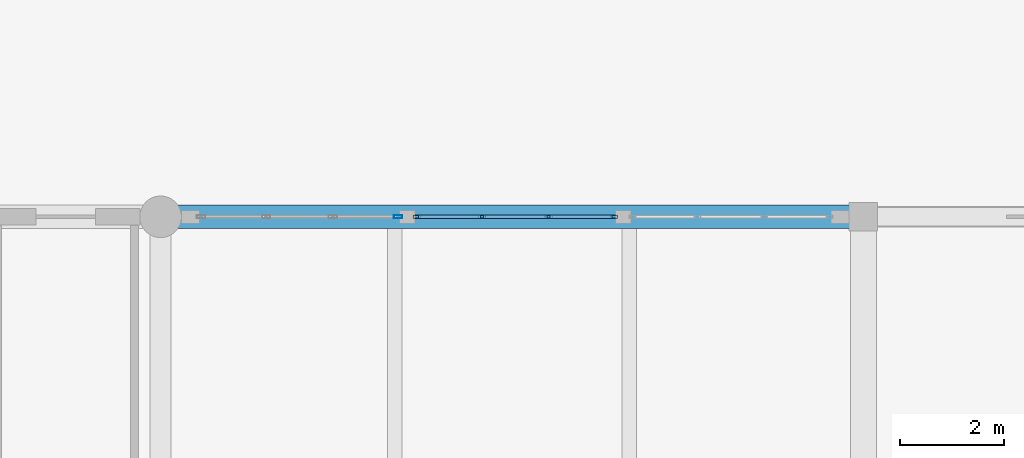
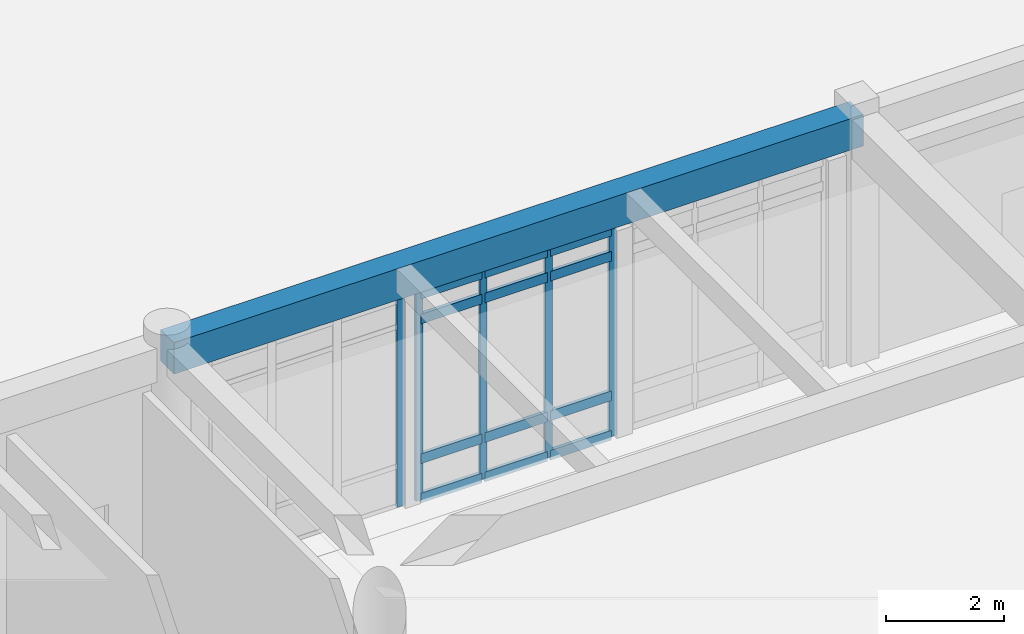
# One storey, part 20 of 138: 17 members, 1 beam, 2 elements without a shape of their own.
"""IFC4 building model written with IfcOpenShell, lengths in metres."""

from ifc_helpers import new_model, si_unit, direction, frame, origin, origin_2d, place, context, subcontext, project, spatial, rectangle, hollow_rectangle, extrude, material, layer, layer_set, material_profile, profile_set, type_object, element, aggregate, save


model = new_model("IFC4")

# Units and contexts
model_context = context("Model", 3, precision=1e-05, world=origin(), true_north=direction((0.0, 1.0)))
body_context = subcontext(model_context, "Body", "Model", "MODEL_VIEW")
ifc_project = project(units=[si_unit("LENGTHUNIT", "METRE"), si_unit("AREAUNIT", "SQUARE_METRE"), si_unit("VOLUMEUNIT", "CUBIC_METRE"), si_unit("PLANEANGLEUNIT", "RADIAN"), si_unit("MASSUNIT", "GRAM", prefix="KILO")], contexts=[model_context])

# Site, building, storey
site_placement = place(None, origin())
site = spatial("IfcSite", under=ifc_project, at=site_placement, CompositionType="ELEMENT")
building_placement = place(site_placement, origin())
building = spatial("IfcBuilding", under=site, at=building_placement, Name="Fikremerkos Civic Library", CompositionType="ELEMENT")
storey_placement = place(building_placement, origin())
storey = spatial("IfcBuildingStorey", under=building, at=storey_placement, Name="L00", CompositionType="ELEMENT", Elevation=0.0)

# Curtain wall, member
ifc_material_1 = material(Name="Anodized aluminium Frame", Category="aluminium")
ifc_layer_1 = layer(ifc_material_1, 0.159912109375, Name="Anodized aluminium Frame")
ifc_layer_set_1 = layer_set([ifc_layer_1], Name="Anodized aluminium Frame")
curtain_wall_type_1 = type_object("IfcCurtainWallType", Name="Unitised curtain wall CW-14 4100x3200", PredefinedType="USERDEFINED", material=ifc_layer_set_1)
curtain_wall_1_placement = place(storey_placement, origin())
curtain_wall_1 = element("IfcCurtainWall", 1, at=curtain_wall_1_placement, inside=storey, type_object=curtain_wall_type_1, Name="Unitised curtain wall CW-14 L00 #14", ObjectType="UNITISED CURTAIN WALL", PredefinedType="USERDEFINED")
ifc_material_profile_1 = material_profile(ifc_material_1, hollow_rectangle(XDim=0.06005859375, YDim=0.159912109375, WallThickness=0.00390625, at=origin_2d()), Name="ALU 160x60x4")
ifc_profile_set_1 = profile_set([ifc_material_profile_1], Name="Anodized aluminium Frame")
member_type_1 = type_object("IfcMemberType", Name="Curtain mullion CWM-02 ALU 160x60x4", PredefinedType="MULLION", material=ifc_profile_set_1)
member_1_placement = place(storey_placement, frame((64.260986328125, 48.0, 0.0), z_axis=(0.0, 0.0, 1.0), x_axis=(0.0, 1.0, 0.0)))
member_1 = element("IfcMember", 2, at=member_1_placement, type_object=member_type_1, Name="CW-14 mullion 4", PredefinedType="MULLION", context=body_context, shape_type="SweptSolid", body=[
    extrude(hollow_rectangle(XDim=0.06005859375, YDim=0.159912109375, WallThickness=0.00390625, at=origin_2d()), origin(), (0.0, 0.0, 1.0), 4.2900390625),
])
aggregate(curtain_wall_1, [member_1])

# Curtain wall, members
ifc_layer_2 = layer(ifc_material_1, 0.159912109375, Name="Anodized aluminium Frame")
ifc_layer_set_2 = layer_set([ifc_layer_2], Name="Anodized aluminium Frame")
curtain_wall_type_2 = type_object("IfcCurtainWallType", Name="Unitised curtain wall CW-15 2900x3600", PredefinedType="USERDEFINED", material=ifc_layer_set_2)
curtain_wall_2_placement = place(storey_placement, origin())
curtain_wall_2 = element("IfcCurtainWall", 3, at=curtain_wall_2_placement, inside=storey, type_object=curtain_wall_type_2, Name="Unitised curtain wall CW-15 L00 #15", ObjectType="UNITISED CURTAIN WALL", PredefinedType="USERDEFINED")
ifc_material_profile_2 = material_profile(ifc_material_1, hollow_rectangle(XDim=0.06005859375, YDim=0.139892578125, WallThickness=0.00390625, at=origin_2d()), Name="ALU 140x60x4")
ifc_profile_set_2 = profile_set([ifc_material_profile_2], Name="Anodized aluminium Frame")
member_type_2 = type_object("IfcMemberType", Name="Curtain mullion CWM-03 ALU 140x60x4", PredefinedType="MULLION", material=ifc_profile_set_2)
member_2_placement = place(storey_placement, frame((64.62109375, 48.0, 0.0), z_axis=(0.0, 0.0, 1.0), x_axis=(0.0, 1.0, 0.0)))
member_2 = element("IfcMember", 4, at=member_2_placement, type_object=member_type_2, Name="CW-15 mullion 1", PredefinedType="MULLION", context=body_context, shape_type="SweptSolid", body=[
    extrude(hollow_rectangle(XDim=0.06005859375, YDim=0.139892578125, WallThickness=0.00390625, at=origin_2d()), origin(), (0.0, 0.0, 1.0), 4.2900390625),
])
member_3_placement = place(storey_placement, frame((65.8720703125, 48.0, 0.0), z_axis=(0.0, 0.0, 1.0), x_axis=(0.0, 1.0, 0.0)))
member_3 = element("IfcMember", 5, at=member_3_placement, type_object=member_type_2, Name="CW-15 mullion 2", PredefinedType="MULLION", context=body_context, shape_type="SweptSolid", body=[
    extrude(hollow_rectangle(XDim=0.06005859375, YDim=0.139892578125, WallThickness=0.00390625, at=origin_2d()), origin(), (0.0, 0.0, 1.0), 4.2900390625),
])
member_4_placement = place(storey_placement, frame((67.153076171875, 48.0, 0.0), z_axis=(0.0, 0.0, 1.0), x_axis=(0.0, 1.0, 0.0)))
member_4 = element("IfcMember", 6, at=member_4_placement, type_object=member_type_2, Name="CW-15 mullion 3", PredefinedType="MULLION", context=body_context, shape_type="SweptSolid", body=[
    extrude(hollow_rectangle(XDim=0.06005859375, YDim=0.139892578125, WallThickness=0.00390625, at=origin_2d()), origin(), (0.0, 0.0, 1.0), 4.2900390625),
])
member_5_placement = place(storey_placement, frame((68.404052734375, 48.0, 0.0), z_axis=(0.0, 0.0, 1.0), x_axis=(0.0, 1.0, 0.0)))
member_5 = element("IfcMember", 7, at=member_5_placement, type_object=member_type_2, Name="CW-15 mullion 4", PredefinedType="MULLION", context=body_context, shape_type="SweptSolid", body=[
    extrude(hollow_rectangle(XDim=0.06005859375, YDim=0.139892578125, WallThickness=0.00390625, at=origin_2d()), origin(), (0.0, 0.0, 1.0), 4.2900390625),
])
ifc_material_profile_3 = material_profile(ifc_material_1, hollow_rectangle(XDim=0.070068359375, YDim=0.199951171875, WallThickness=0.0048828125, at=origin_2d()), Name="ALU 200x70x5")
ifc_profile_set_3 = profile_set([ifc_material_profile_3], Name="Anodized aluminium Frame")
member_type_3 = type_object("IfcMemberType", Name="Curtain transom CWT-04 ALU 200x70x5", PredefinedType="USERDEFINED", material=ifc_profile_set_3)
member_6_placement = place(storey_placement, frame((64.65087890625, 48.0, 0.034912109375), z_axis=(1.0, 0.0, 0.0), x_axis=(0.0, 1.0, 0.0)))
member_6 = element("IfcMember", 8, at=member_6_placement, type_object=member_type_3, Name="CW-15 transom 1.1", ObjectType="TRANSOM", PredefinedType="USERDEFINED", context=body_context, shape_type="SweptSolid", body=[
    extrude(hollow_rectangle(XDim=0.070068359375, YDim=0.199951171875, WallThickness=0.0048828125, at=origin_2d()), origin(), (0.0, 0.0, 1.0), 1.191162109375),
])
member_7_placement = place(storey_placement, frame((64.65087890625, 48.0, 0.85009765625), z_axis=(1.0, 0.0, 0.0), x_axis=(0.0, 1.0, 0.0)))
member_7 = element("IfcMember", 9, at=member_7_placement, type_object=member_type_3, Name="CW-15 transom 1.2", ObjectType="TRANSOM", PredefinedType="USERDEFINED", context=body_context, shape_type="SweptSolid", body=[
    extrude(hollow_rectangle(XDim=0.070068359375, YDim=0.199951171875, WallThickness=0.0048828125, at=origin_2d()), origin(), (0.0, 0.0, 1.0), 1.191162109375),
])
member_8_placement = place(storey_placement, frame((64.65087890625, 48.0, 3.739990234375), z_axis=(1.0, 0.0, 0.0), x_axis=(0.0, 1.0, 0.0)))
member_8 = element("IfcMember", 10, at=member_8_placement, type_object=member_type_3, Name="CW-15 transom 1.3", ObjectType="TRANSOM", PredefinedType="USERDEFINED", context=body_context, shape_type="SweptSolid", body=[
    extrude(hollow_rectangle(XDim=0.070068359375, YDim=0.199951171875, WallThickness=0.0048828125, at=origin_2d()), origin(), (0.0, 0.0, 1.0), 1.191162109375),
])
member_9_placement = place(storey_placement, frame((64.65087890625, 48.0, 4.2548828125), z_axis=(1.0, 0.0, 0.0), x_axis=(0.0, 1.0, 0.0)))
member_9 = element("IfcMember", 11, at=member_9_placement, type_object=member_type_3, Name="CW-15 transom 1.4", ObjectType="TRANSOM", PredefinedType="USERDEFINED", context=body_context, shape_type="SweptSolid", body=[
    extrude(hollow_rectangle(XDim=0.070068359375, YDim=0.199951171875, WallThickness=0.0048828125, at=origin_2d()), origin(), (0.0, 0.0, 1.0), 1.191162109375),
])
member_10_placement = place(storey_placement, frame((65.902099609375, 48.0, 0.034912109375), z_axis=(1.0, 0.0, 0.0), x_axis=(0.0, 1.0, 0.0)))
member_10 = element("IfcMember", 12, at=member_10_placement, type_object=member_type_3, Name="CW-15 transom 2.1", ObjectType="TRANSOM", PredefinedType="USERDEFINED", context=body_context, shape_type="SweptSolid", body=[
    extrude(hollow_rectangle(XDim=0.070068359375, YDim=0.199951171875, WallThickness=0.0048828125, at=origin_2d()), origin(), (0.0, 0.0, 1.0), 1.220947265625),
])
member_11_placement = place(storey_placement, frame((65.902099609375, 48.0, 0.85009765625), z_axis=(1.0, 0.0, 0.0), x_axis=(0.0, 1.0, 0.0)))
member_11 = element("IfcMember", 13, at=member_11_placement, type_object=member_type_3, Name="CW-15 transom 2.2", ObjectType="TRANSOM", PredefinedType="USERDEFINED", context=body_context, shape_type="SweptSolid", body=[
    extrude(hollow_rectangle(XDim=0.070068359375, YDim=0.199951171875, WallThickness=0.0048828125, at=origin_2d()), origin(), (0.0, 0.0, 1.0), 1.220947265625),
])
member_12_placement = place(storey_placement, frame((65.902099609375, 48.0, 3.739990234375), z_axis=(1.0, 0.0, 0.0), x_axis=(0.0, 1.0, 0.0)))
member_12 = element("IfcMember", 14, at=member_12_placement, type_object=member_type_3, Name="CW-15 transom 2.3", ObjectType="TRANSOM", PredefinedType="USERDEFINED", context=body_context, shape_type="SweptSolid", body=[
    extrude(hollow_rectangle(XDim=0.070068359375, YDim=0.199951171875, WallThickness=0.0048828125, at=origin_2d()), origin(), (0.0, 0.0, 1.0), 1.220947265625),
])
member_13_placement = place(storey_placement, frame((65.902099609375, 48.0, 4.2548828125), z_axis=(1.0, 0.0, 0.0), x_axis=(0.0, 1.0, 0.0)))
member_13 = element("IfcMember", 15, at=member_13_placement, type_object=member_type_3, Name="CW-15 transom 2.4", ObjectType="TRANSOM", PredefinedType="USERDEFINED", context=body_context, shape_type="SweptSolid", body=[
    extrude(hollow_rectangle(XDim=0.070068359375, YDim=0.199951171875, WallThickness=0.0048828125, at=origin_2d()), origin(), (0.0, 0.0, 1.0), 1.220947265625),
])
member_14_placement = place(storey_placement, frame((67.18310546875, 48.0, 0.034912109375), z_axis=(1.0, 0.0, 0.0), x_axis=(0.0, 1.0, 0.0)))
member_14 = element("IfcMember", 16, at=member_14_placement, type_object=member_type_3, Name="CW-15 transom 3.1", ObjectType="TRANSOM", PredefinedType="USERDEFINED", context=body_context, shape_type="SweptSolid", body=[
    extrude(hollow_rectangle(XDim=0.070068359375, YDim=0.199951171875, WallThickness=0.0048828125, at=origin_2d()), origin(), (0.0, 0.0, 1.0), 1.19091796875),
])
member_15_placement = place(storey_placement, frame((67.18310546875, 48.0, 0.85009765625), z_axis=(1.0, 0.0, 0.0), x_axis=(0.0, 1.0, 0.0)))
member_15 = element("IfcMember", 17, at=member_15_placement, type_object=member_type_3, Name="CW-15 transom 3.2", ObjectType="TRANSOM", PredefinedType="USERDEFINED", context=body_context, shape_type="SweptSolid", body=[
    extrude(hollow_rectangle(XDim=0.070068359375, YDim=0.199951171875, WallThickness=0.0048828125, at=origin_2d()), origin(), (0.0, 0.0, 1.0), 1.19091796875),
])
member_16_placement = place(storey_placement, frame((67.18310546875, 48.0, 3.739990234375), z_axis=(1.0, 0.0, 0.0), x_axis=(0.0, 1.0, 0.0)))
member_16 = element("IfcMember", 18, at=member_16_placement, type_object=member_type_3, Name="CW-15 transom 3.3", ObjectType="TRANSOM", PredefinedType="USERDEFINED", context=body_context, shape_type="SweptSolid", body=[
    extrude(hollow_rectangle(XDim=0.070068359375, YDim=0.199951171875, WallThickness=0.0048828125, at=origin_2d()), origin(), (0.0, 0.0, 1.0), 1.19091796875),
])
member_17_placement = place(storey_placement, frame((67.18310546875, 48.0, 4.2548828125), z_axis=(1.0, 0.0, 0.0), x_axis=(0.0, 1.0, 0.0)))
member_17 = element("IfcMember", 19, at=member_17_placement, type_object=member_type_3, Name="CW-15 transom 3.4", ObjectType="TRANSOM", PredefinedType="USERDEFINED", context=body_context, shape_type="SweptSolid", body=[
    extrude(hollow_rectangle(XDim=0.070068359375, YDim=0.199951171875, WallThickness=0.0048828125, at=origin_2d()), origin(), (0.0, 0.0, 1.0), 1.19091796875),
])
aggregate(curtain_wall_2, [member_2, member_3, member_4, member_5, member_6, member_7, member_8, member_9, member_10, member_11, member_12, member_13, member_14, member_15, member_16, member_17])

# Beam
ifc_material_2 = material(Name="Concrete C40/50", Category="concrete")
ifc_material_profile_4 = material_profile(ifc_material_2, rectangle(XDim=0.449951171875, YDim=0.64990234375, at=origin_2d()), Name="RC 450x650")
ifc_profile_set_4 = profile_set([ifc_material_profile_4], Name="Concrete C40/50")
beam_type = type_object("IfcBeamType", Name="Primary girder BM-07 RC 450x650", PredefinedType="BEAM", material=ifc_profile_set_4)
beam_placement = place(storey_placement, frame((59.699951171875, 48.0, 4.77490234375), z_axis=(1.0, 0.0, 0.0), x_axis=(0.0, 1.0, 0.0)))
element("IfcBeam", 20, at=beam_placement, inside=storey, type_object=beam_type, Name="Primary girder BM-07 L00 grid J", PredefinedType="BEAM", context=body_context, shape_type="SweptSolid", body=[
    extrude(rectangle(XDim=0.449951171875, YDim=0.64990234375, at=origin_2d()), origin(), (0.0, 0.0, 1.0), 13.5),
])

save(model, "model.ifc")
